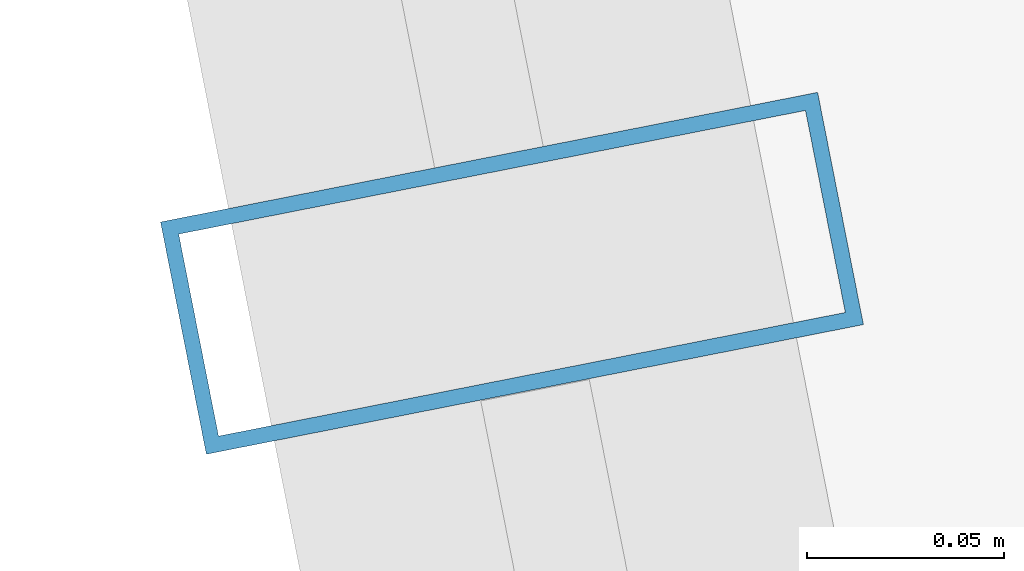
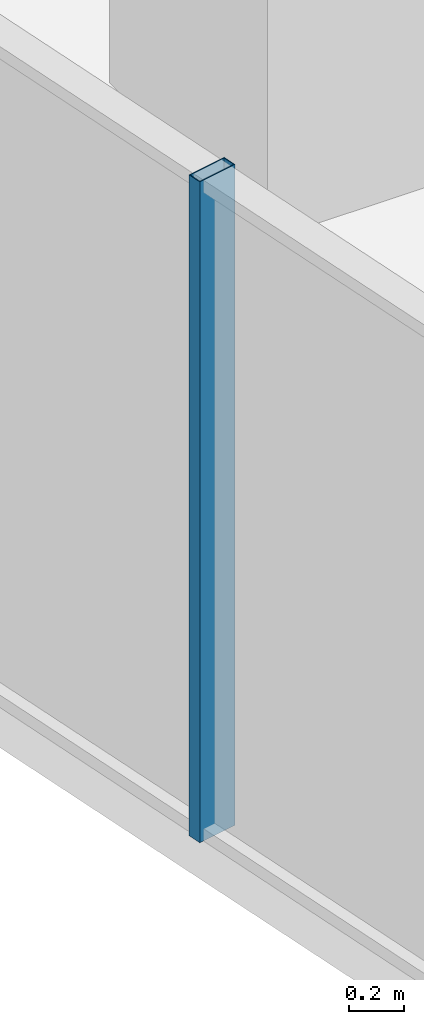
# One storey, part 9 of 36: 1 member, 1 element without a shape of its own.
"""IFC4 building model written with IfcOpenShell, lengths in metres."""

import ifcopenshell
import ifcopenshell.guid

model = None  # the IFC model being written
_history = None  # IfcOwnerHistory: only IFC2X3 demands one
_inside = {}  # id of a spatial element -> (the spatial element, [elements in it])
_under = {}  # id of a project, library or spatial element -> (it, [spatial elements below it])
_declared = {}  # id of a project -> (the project, [libraries it declares])
_typed = {}  # id of a type object -> (the type object, [elements of that type])
_made_of = {}  # id of a material, layer set ... -> (it, [elements and type objects made of it])


def new_model(schema):
    """Start an empty IFC model of exactly this schema.

    Asked for "IFC4X3", IfcOpenShell would pick the latest addendum, in which some entities
    have other attributes; the version numbers below select the first issue.
    IFC2X3 requires an IfcOwnerHistory on every rooted entity: one is made here for all.
    """
    global model, _history
    if schema == "IFC4X3":
        model = ifcopenshell.file(schema_version=(4, 3, 0, 0))
    else:
        model = ifcopenshell.file(schema=schema)
    _inside.clear()
    _under.clear()
    _declared.clear()
    _typed.clear()
    _made_of.clear()
    _history = None
    if model.schema == "IFC2X3":
        org = make("IfcOrganization", Name="unknown")
        user = make(
            "IfcPersonAndOrganization",
            ThePerson=make("IfcPerson", FamilyName="unknown"),
            TheOrganization=org,
        )
        app = make(
            "IfcApplication",
            ApplicationDeveloper=org,
            Version="unknown",
            ApplicationFullName="unknown",
            ApplicationIdentifier="unknown",
        )
        _history = make(
            "IfcOwnerHistory",
            OwningUser=user,
            OwningApplication=app,
            ChangeAction="ADDED",
            CreationDate=0,
        )
    return model


def make(cls, **values):
    """One entity of the class cls with the attributes given. An attribute that is None is left unset."""
    return model.create_entity(
        cls, **{name: value for name, value in values.items() if value is not None}
    )


def rooted(cls, **values):
    """An entity with a GlobalId (a new one), such as an element, a storey or a relation."""
    return make(cls, GlobalId=ifcopenshell.guid.new(), OwnerHistory=_history, **values)


def si_unit(unit_type, name, prefix=None):
    """IfcSIUnit, for example si_unit("LENGTHUNIT", "METRE", prefix="MILLI")."""
    return make("IfcSIUnit", UnitType=unit_type, Prefix=prefix, Name=name)


def assignment(units):
    """IfcUnitAssignment: the units of a project."""
    return None if units is None else make("IfcUnitAssignment", Units=units)


def point(xyz):
    """IfcCartesianPoint."""
    return None if xyz is None else make("IfcCartesianPoint", Coordinates=xyz)


def direction(xyz):
    """IfcDirection."""
    return None if xyz is None else make("IfcDirection", DirectionRatios=xyz)


def frame(location, z_axis=None, x_axis=None):
    """IfcAxis2Placement3D, a coordinate frame: its origin and axes. An axis left out is left unset."""
    return make(
        "IfcAxis2Placement3D",
        Location=point(location),
        Axis=direction(z_axis),
        RefDirection=direction(x_axis),
    )


def frame_2d(location, x_axis=None):
    """IfcAxis2Placement2D, a coordinate frame in the plane: its origin and x axis."""
    return make(
        "IfcAxis2Placement2D", Location=point(location), RefDirection=direction(x_axis)
    )


def origin():
    """The frame at (0, 0, 0) with its axes left unset."""
    return frame((0.0, 0.0, 0.0))


def origin_2d():
    """The frame at (0, 0) in the plane with its x axis left unset."""
    return frame_2d((0.0, 0.0))


def place(relative_to, where):
    """IfcLocalPlacement: puts the frame where relative to a parent placement (None: the world)."""
    return make(
        "IfcLocalPlacement", PlacementRelTo=relative_to, RelativePlacement=where
    )


def context(
    kind, dimensions, precision=None, world=None, true_north=None, identifier=None
):
    """IfcGeometricRepresentationContext, for example the 3D "Model" context."""
    return make(
        "IfcGeometricRepresentationContext",
        ContextIdentifier=identifier,
        ContextType=kind,
        CoordinateSpaceDimension=dimensions,
        Precision=precision,
        WorldCoordinateSystem=world,
        TrueNorth=true_north,
    )


def subcontext(parent, identifier, kind, view, scale=None):
    """IfcGeometricRepresentationSubContext, for example "Body" below "Model"."""
    return make(
        "IfcGeometricRepresentationSubContext",
        ContextIdentifier=identifier,
        ContextType=kind,
        ParentContext=parent,
        TargetScale=scale,
        TargetView=view,
    )


def project(units=None, contexts=None):
    """IfcProject with its units and contexts."""
    return rooted(
        "IfcProject",
        Name="project",
        RepresentationContexts=contexts,
        UnitsInContext=assignment(units),
    )


def spatial(cls, under=None, at=None, **own):
    """A site, building, storey or space (cls), placed at a placement, below another one or the project."""
    s = rooted(cls, ObjectPlacement=at, **own)
    if under is not None:
        _under.setdefault(under.id(), (under, []))[1].append(s)
    return s


def profile(cls, at=None, kind="AREA", **sizes):
    """A parametric profile (cls). Its sizes go by their IFC names, for example OverallWidth=200.0."""
    return make(cls, ProfileType=kind, Position=at, **sizes)


def hollow_rectangle(**sizes):
    """IfcRectangleHollowProfileDef."""
    return profile("IfcRectangleHollowProfileDef", **sizes)


def extrude(swept, where, along, depth):
    """IfcExtrudedAreaSolid: the profile swept, set in the frame where, extruded along a direction by depth."""
    return make(
        "IfcExtrudedAreaSolid",
        SweptArea=swept,
        Position=where,
        ExtrudedDirection=direction(along),
        Depth=depth,
    )


def shape(context_of_items, identifier, shape_type, items):
    """IfcShapeRepresentation: the items that make up one representation, for example the "Body"."""
    return make(
        "IfcShapeRepresentation",
        ContextOfItems=context_of_items,
        RepresentationIdentifier=identifier,
        RepresentationType=shape_type,
        Items=items,
    )


def source(mapping_origin, context_of_items, identifier, shape_type, items):
    """IfcRepresentationMap: a shape defined once, which mapped items show again and again."""
    return make(
        "IfcRepresentationMap",
        MappingOrigin=mapping_origin,
        MappedRepresentation=shape(context_of_items, identifier, shape_type, items),
    )


def transform(
    local_origin,
    x_axis=None,
    y_axis=None,
    z_axis=None,
    scale=None,
    scale2=None,
    scale3=None,
    uniform=True,
):
    """IfcCartesianTransformationOperator3D, or its non-uniform kind. x_axis, y_axis, z_axis: its Axis1, 2, 3."""
    if uniform:
        return make(
            "IfcCartesianTransformationOperator3D",
            Axis1=direction(x_axis),
            Axis2=direction(y_axis),
            LocalOrigin=point(local_origin),
            Scale=scale,
            Axis3=direction(z_axis),
        )
    return make(
        "IfcCartesianTransformationOperator3DnonUniform",
        Axis1=direction(x_axis),
        Axis2=direction(y_axis),
        LocalOrigin=point(local_origin),
        Scale=scale,
        Axis3=direction(z_axis),
        Scale2=scale2,
        Scale3=scale3,
    )


def mapped(mapping_source, mapping_target):
    """IfcMappedItem: shows the shape of a source again, moved by a transform."""
    return make(
        "IfcMappedItem", MappingSource=mapping_source, MappingTarget=mapping_target
    )


def material(Name=None, Category=None):
    """IfcMaterial."""
    return make("IfcMaterial", Name=Name, Category=Category)


def layer(
    of_material, thickness, ventilated=None, Name=None, Category=None, Priority=None
):
    """IfcMaterialLayer: one layer of a wall or slab, of a material (None: an air gap)."""
    return make(
        "IfcMaterialLayer",
        Material=of_material,
        LayerThickness=thickness,
        IsVentilated=ventilated,
        Name=Name,
        Category=Category,
        Priority=Priority,
    )


def layer_set(layers, Name=None):
    """IfcMaterialLayerSet."""
    return make("IfcMaterialLayerSet", MaterialLayers=layers, LayerSetName=Name)


def material_profile(
    of_material, cross_section, Name=None, Category=None, Priority=None
):
    """IfcMaterialProfile: a cross section and its material."""
    return make(
        "IfcMaterialProfile",
        Name=Name,
        Material=of_material,
        Profile=cross_section,
        Priority=Priority,
        Category=Category,
    )


def profile_set(profiles, Name=None, composite=None):
    """IfcMaterialProfileSet."""
    return make(
        "IfcMaterialProfileSet",
        Name=Name,
        MaterialProfiles=profiles,
        CompositeProfile=composite,
    )


def made_of(thing, what):
    """Note that an element or type object is made of a material, layer set ...; save() writes the relation."""
    if what is not None:
        _made_of.setdefault(what.id(), (what, []))[1].append(thing)
    return thing


def type_object(cls, material=None, **own):
    """A type object (cls), such as IfcWallType, which elements share."""
    return made_of(rooted(cls, **own), material)


def element(
    cls,
    number,
    at=None,
    inside=None,
    cuts=None,
    type_object=None,
    material=None,
    context=None,
    identifier="Body",
    shape_type=None,
    held_by="IfcProductDefinitionShape",
    body=None,
    shapes=None,
    **own,
):
    """One element of the class cls, such as IfcWall. Its Tag is "e" and its number.

    at: its placement. inside: the storey or other place that contains it. cuts: it is an
    opening in that element (IfcRelVoidsElement). A single representation is given by context,
    identifier, shape_type and body (its items); several are given by shapes. held_by: the class
    of the entity that holds the representations. save() writes the other relations.
    """
    e = rooted(cls, Tag="e%d" % number, ObjectPlacement=at, **own)
    if body is not None:
        shapes = [shape(context, identifier, shape_type, body)]
    if shapes is not None:
        e.Representation = make(held_by, Representations=shapes)
    if inside is not None:
        _inside.setdefault(inside.id(), (inside, []))[1].append(e)
    if cuts is not None:
        rooted(
            "IfcRelVoidsElement", RelatingBuildingElement=cuts, RelatedOpeningElement=e
        )
    if type_object is not None:
        _typed.setdefault(type_object.id(), (type_object, []))[1].append(e)
    return made_of(e, material)


def aggregate(whole, parts):
    """IfcRelAggregates: a whole, such as a stair, and the parts it consists of."""
    return rooted("IfcRelAggregates", RelatingObject=whole, RelatedObjects=parts)


def save(model, path):
    """Write the relations noted so far, then the file.

    IfcRelAggregates (storeys below a building ...), IfcRelContainedInSpatialStructure (elements
    in a storey), IfcRelDefinesByType, IfcRelAssociatesMaterial and IfcRelDeclares: one each for
    every whole, place, type object, material and project.
    """
    for whole, parts in _under.values():
        aggregate(whole, parts)
    for where, things in _inside.values():
        rooted(
            "IfcRelContainedInSpatialStructure",
            RelatedElements=things,
            RelatingStructure=where,
        )
    for kind, things in _typed.values():
        rooted("IfcRelDefinesByType", RelatedObjects=things, RelatingType=kind)
    for what, things in _made_of.values():
        rooted("IfcRelAssociatesMaterial", RelatedObjects=things, RelatingMaterial=what)
    for by, libraries in _declared.values():
        rooted("IfcRelDeclares", RelatingContext=by, RelatedDefinitions=libraries)
    model.write(path)


model = new_model("IFC4")

# Units and contexts
model_context = context("Model", 3, precision=1e-05, world=origin(), true_north=direction((0.0, 1.0)))
body_context = subcontext(model_context, "Body", "Model", "MODEL_VIEW")
ifc_project = project(units=[si_unit("LENGTHUNIT", "METRE"), si_unit("AREAUNIT", "SQUARE_METRE"), si_unit("VOLUMEUNIT", "CUBIC_METRE"), si_unit("PLANEANGLEUNIT", "RADIAN"), si_unit("MASSUNIT", "GRAM", prefix="KILO")], contexts=[model_context])

# Site, building, storey
site_placement = place(None, origin())
site = spatial("IfcSite", under=ifc_project, at=site_placement, CompositionType="ELEMENT")
building_placement = place(site_placement, origin())
building = spatial("IfcBuilding", under=site, at=building_placement, Name="Veraguas Prism Commons", CompositionType="ELEMENT")
storey_placement = place(building_placement, frame((0.0, 0.0, 166.300048828125)))
storey = spatial("IfcBuildingStorey", under=building, at=storey_placement, Name="L47", CompositionType="ELEMENT", Elevation=166.300048828125)

# Curtain wall, member
ifc_material = material(Name="Anodised aluminium EN AW-6063 T6", Category="aluminium")
ifc_layer = layer(ifc_material, 0.169921875, Name="Unitised Flush Curtain Wall Zone 2", Category="aluminium")
ifc_layer_set = layer_set([ifc_layer], Name="Anodised aluminium EN AW-6063 T6")
curtain_wall_type = type_object("IfcCurtainWallType", Name="Unitised Flush Curtain Wall Zone 2", PredefinedType="NOTDEFINED", material=ifc_layer_set)
curtain_wall_placement = place(storey_placement, origin())
curtain_wall = element("IfcCurtainWall", 1, at=curtain_wall_placement, inside=storey, type_object=curtain_wall_type, Name="Tower Facade Curtain Wall L47-F3", PredefinedType="NOTDEFINED")
ifc_material_profile = material_profile(ifc_material, hollow_rectangle(XDim=0.06005859375, YDim=0.169921875, WallThickness=0.00390625, at=origin_2d()), Name="AL60X170X4")
ifc_profile_set = profile_set([ifc_material_profile], Name="Anodised aluminium EN AW-6063 T6")
member_type = type_object("IfcMemberType", Name="Curtain Wall Mullion Lower AL 60x170x4", PredefinedType="MULLION", material=ifc_profile_set)
shared_shape = source(origin(), body_context, "Body", "SweptSolid", [
    extrude(hollow_rectangle(XDim=0.06005859375, YDim=0.169921875, WallThickness=0.00390625, at=origin_2d()), origin(), (0.0, 0.0, 1.0), 2.929931640625),
])
member_placement = place(storey_placement, frame((5.18017578125, 20.287353515625, 0.0), z_axis=(0.0, 0.0, 1.0), x_axis=(0.193549468051, -0.981090517443, 0.0)))
member = element("IfcMember", 2, at=member_placement, type_object=member_type, Name="CW-Z2 Mullion 3", PredefinedType="MULLION", context=body_context, shape_type="MappedRepresentation", body=[
    mapped(shared_shape, transform((0.0, 0.0, 0.0), scale=1.0)),
])
aggregate(curtain_wall, [member])

save(model, "model.ifc")
